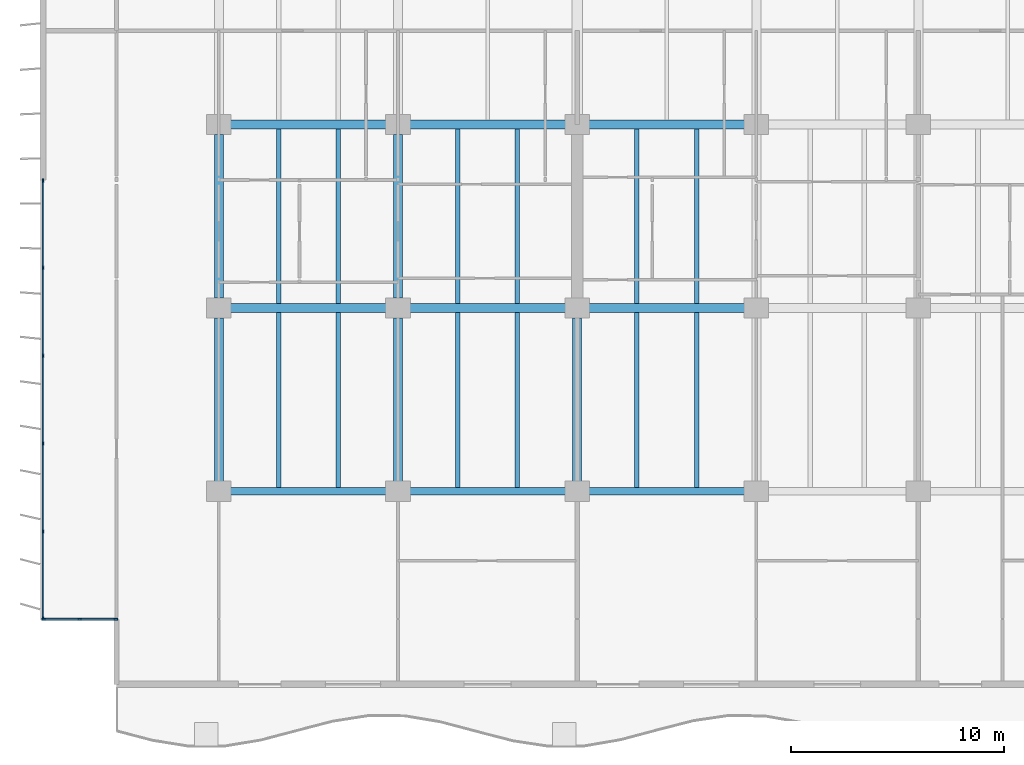
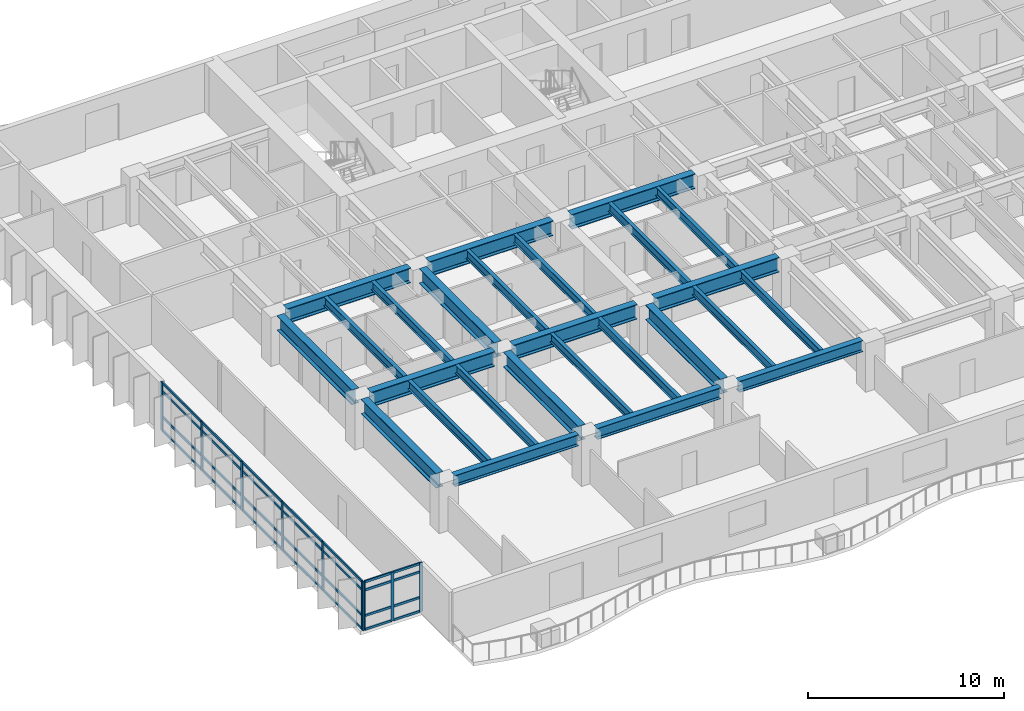
# One storey, part 2 of 17: 37 members, 26 beams, 2 elements without a shape of their own.
"""IFC4 building model written with IfcOpenShell, lengths in metres."""

from ifc_helpers import new_model, si_unit, direction, frame, origin, origin_2d, place, context, subcontext, project, spatial, rectangle, i_section, extrude, material, layer, layer_set, material_profile, profile_set, type_object, element, aggregate, save


model = new_model("IFC4")

# Units and contexts
model_context = context("Model", 3, precision=1e-05, world=origin(), true_north=direction((0.0, 1.0)))
body_context = subcontext(model_context, "Body", "Model", "MODEL_VIEW")
ifc_project = project(units=[si_unit("LENGTHUNIT", "METRE"), si_unit("AREAUNIT", "SQUARE_METRE"), si_unit("VOLUMEUNIT", "CUBIC_METRE"), si_unit("PLANEANGLEUNIT", "RADIAN"), si_unit("MASSUNIT", "GRAM", prefix="KILO")], contexts=[model_context])

# Site, building, storey
site_placement = place(None, origin())
site = spatial("IfcSite", under=ifc_project, at=site_placement, CompositionType="ELEMENT")
building_placement = place(site_placement, origin())
building = spatial("IfcBuilding", under=site, at=building_placement, Name="Caelmar Bay Residences", CompositionType="ELEMENT")
storey_placement = place(building_placement, frame((0.0, 0.0, 63.0)))
storey = spatial("IfcBuildingStorey", under=building, at=storey_placement, Name="L16", CompositionType="ELEMENT", Elevation=63.0)

# Beams
ifc_material_1 = material(Name="Steel ASTM A992 Grade 50", Category="steel")
ifc_material_profile_1 = material_profile(ifc_material_1, i_section(OverallWidth=0.422119140625, OverallDepth=0.925048828125, WebThickness=0.021240234375, FlangeThickness=0.03662109375, FilletRadius=0.020263671875, at=origin_2d()), Name="W36X262")
ifc_profile_set_1 = profile_set([ifc_material_profile_1], Name="Steel ASTM A992 Grade 50")
beam_type_1 = type_object("IfcBeamType", Name="BM-GRD-W36X262", PredefinedType="BEAM", material=ifc_profile_set_1)
beam_1_placement = place(storey_placement, frame((10.43994140625, 20.800048828125, 2.58740234375), z_axis=(1.0, 0.0, 0.0), x_axis=(0.0, 1.0, 0.0)))
element("IfcBeam", 1, at=beam_1_placement, inside=storey, type_object=beam_type_1, Name="L16 East-West Girder Y=20.80 (9.9-18.3)", PredefinedType="BEAM", context=body_context, shape_type="SweptSolid", body=[
    extrude(i_section(OverallWidth=0.422119140625, OverallDepth=0.925048828125, WebThickness=0.021240234375, FlangeThickness=0.03662109375, FilletRadius=0.020263671875, at=origin_2d()), origin(), (0.0, 0.0, 1.0), 7.320068359375),
])
beam_2_placement = place(storey_placement, frame((18.840087890625, 20.800048828125, 2.58740234375), z_axis=(1.0, 0.0, 0.0), x_axis=(0.0, 1.0, 0.0)))
element("IfcBeam", 2, at=beam_2_placement, inside=storey, type_object=beam_type_1, Name="L16 East-West Girder Y=20.80 (18.3-26.7)", PredefinedType="BEAM", context=body_context, shape_type="SweptSolid", body=[
    extrude(i_section(OverallWidth=0.422119140625, OverallDepth=0.925048828125, WebThickness=0.021240234375, FlangeThickness=0.03662109375, FilletRadius=0.020263671875, at=origin_2d()), origin(), (0.0, 0.0, 1.0), 7.31982421875),
])
for number, where, z_axis, x_axis, name in (
    (3, (27.239990234375, 20.800048828125, 2.58740234375), (1.0, 0.0, 0.0), (0.0, 1.0, 0.0), "L16 East-West Girder Y=20.80 (26.7-35.1)"),
    (4, (10.43994140625, 29.39990234375, 2.58740234375), (1.0, 0.0, 0.0), (0.0, 1.0, 0.0), "L16 East-West Girder Y=29.40 (9.9-18.3)"),
):
    element("IfcBeam", number, at=place(storey_placement, frame(where, z_axis=z_axis, x_axis=x_axis)), inside=storey, type_object=beam_type_1, Name=name, PredefinedType="BEAM", context=body_context, shape_type="SweptSolid", body=[
        extrude(i_section(OverallWidth=0.422119140625, OverallDepth=0.925048828125, WebThickness=0.021240234375, FlangeThickness=0.03662109375, FilletRadius=0.020263671875, at=origin_2d()), origin(), (0.0, 0.0, 1.0), 7.320068359375),
    ])
beam_3_placement = place(storey_placement, frame((18.840087890625, 29.39990234375, 2.58740234375), z_axis=(1.0, 0.0, 0.0), x_axis=(0.0, 1.0, 0.0)))
element("IfcBeam", 5, at=beam_3_placement, inside=storey, type_object=beam_type_1, Name="L16 East-West Girder Y=29.40 (18.3-26.7)", PredefinedType="BEAM", context=body_context, shape_type="SweptSolid", body=[
    extrude(i_section(OverallWidth=0.422119140625, OverallDepth=0.925048828125, WebThickness=0.021240234375, FlangeThickness=0.03662109375, FilletRadius=0.020263671875, at=origin_2d()), origin(), (0.0, 0.0, 1.0), 7.31982421875),
])
beam_4_placement = place(storey_placement, frame((27.239990234375, 29.39990234375, 2.58740234375), z_axis=(1.0, 0.0, 0.0), x_axis=(0.0, 1.0, 0.0)))
element("IfcBeam", 6, at=beam_4_placement, inside=storey, type_object=beam_type_1, Name="L16 East-West Girder Y=29.40 (26.7-35.1)", PredefinedType="BEAM", context=body_context, shape_type="SweptSolid", body=[
    extrude(i_section(OverallWidth=0.422119140625, OverallDepth=0.925048828125, WebThickness=0.021240234375, FlangeThickness=0.03662109375, FilletRadius=0.020263671875, at=origin_2d()), origin(), (0.0, 0.0, 1.0), 7.320068359375),
])
beam_5_placement = place(storey_placement, frame((9.89990234375, 12.6650390625, 2.58740234375), z_axis=(0.0, 1.0, 0.0), x_axis=(-1.0, 0.0, 0.0)))
element("IfcBeam", 7, at=beam_5_placement, inside=storey, type_object=beam_type_1, Name="L16 North-South Girder X=9.90 (12.2-20.8)", PredefinedType="BEAM", context=body_context, shape_type="SweptSolid", body=[
    extrude(i_section(OverallWidth=0.422119140625, OverallDepth=0.925048828125, WebThickness=0.021240234375, FlangeThickness=0.03662109375, FilletRadius=0.020263671875, at=origin_2d()), origin(), (0.0, 0.0, 1.0), 7.669921875),
])
beam_6_placement = place(storey_placement, frame((9.89990234375, 21.264892578125, 2.58740234375), z_axis=(0.0, 1.0, 0.0), x_axis=(-1.0, 0.0, 0.0)))
element("IfcBeam", 8, at=beam_6_placement, inside=storey, type_object=beam_type_1, Name="L16 North-South Girder X=9.90 (20.8-29.4)", PredefinedType="BEAM", context=body_context, shape_type="SweptSolid", body=[
    extrude(i_section(OverallWidth=0.422119140625, OverallDepth=0.925048828125, WebThickness=0.021240234375, FlangeThickness=0.03662109375, FilletRadius=0.020263671875, at=origin_2d()), origin(), (0.0, 0.0, 1.0), 7.670166015625),
])
beam_7_placement = place(storey_placement, frame((18.300048828125, 12.6650390625, 2.58740234375), z_axis=(0.0, 1.0, 0.0), x_axis=(-1.0, 0.0, 0.0)))
element("IfcBeam", 9, at=beam_7_placement, inside=storey, type_object=beam_type_1, Name="L16 North-South Girder X=18.30 (12.2-20.8)", PredefinedType="BEAM", context=body_context, shape_type="SweptSolid", body=[
    extrude(i_section(OverallWidth=0.422119140625, OverallDepth=0.925048828125, WebThickness=0.021240234375, FlangeThickness=0.03662109375, FilletRadius=0.020263671875, at=origin_2d()), origin(), (0.0, 0.0, 1.0), 7.669921875),
])
beam_8_placement = place(storey_placement, frame((18.300048828125, 21.264892578125, 2.58740234375), z_axis=(0.0, 1.0, 0.0), x_axis=(-1.0, 0.0, 0.0)))
element("IfcBeam", 10, at=beam_8_placement, inside=storey, type_object=beam_type_1, Name="L16 North-South Girder X=18.30 (20.8-29.4)", PredefinedType="BEAM", context=body_context, shape_type="SweptSolid", body=[
    extrude(i_section(OverallWidth=0.422119140625, OverallDepth=0.925048828125, WebThickness=0.021240234375, FlangeThickness=0.03662109375, FilletRadius=0.020263671875, at=origin_2d()), origin(), (0.0, 0.0, 1.0), 7.670166015625),
])
beam_9_placement = place(storey_placement, frame((26.699951171875, 12.6650390625, 2.58740234375), z_axis=(0.0, 1.0, 0.0), x_axis=(-1.0, 0.0, 0.0)))
element("IfcBeam", 11, at=beam_9_placement, inside=storey, type_object=beam_type_1, Name="L16 North-South Girder X=26.70 (12.2-20.8)", PredefinedType="BEAM", context=body_context, shape_type="SweptSolid", body=[
    extrude(i_section(OverallWidth=0.422119140625, OverallDepth=0.925048828125, WebThickness=0.021240234375, FlangeThickness=0.03662109375, FilletRadius=0.020263671875, at=origin_2d()), origin(), (0.0, 0.0, 1.0), 7.669921875),
])
ifc_material_profile_2 = material_profile(ifc_material_1, i_section(OverallWidth=0.2099609375, OverallDepth=0.535888671875, WebThickness=0.010986328125, FlangeThickness=0.017333984375, FilletRadius=0.0126953125, at=origin_2d()), Name="W21X68")
ifc_profile_set_2 = profile_set([ifc_material_profile_2], Name="Steel ASTM A992 Grade 50")
beam_type_2 = type_object("IfcBeamType", Name="BM-JST-W21X68", PredefinedType="JOIST", material=ifc_profile_set_2)
for number, where, z_axis, x_axis, name in (
    (12, (15.5, 12.3779296875, 2.781982421875), (0.0, 1.0, 0.0), (-1.0, 0.0, 0.0), "L16 Composite Floor Joist 2"),
    (13, (23.89990234375, 12.3779296875, 2.781982421875), (0.0, 1.0, 0.0), (-1.0, 0.0, 0.0), "L16 Composite Floor Joist 4"),
    (14, (32.300048828125, 12.3779296875, 2.781982421875), (0.0, 1.0, 0.0), (-1.0, 0.0, 0.0), "L16 Composite Floor Joist 6"),
):
    element("IfcBeam", number, at=place(storey_placement, frame(where, z_axis=z_axis, x_axis=x_axis)), inside=storey, type_object=beam_type_2, Name=name, PredefinedType="JOIST", context=body_context, shape_type="SweptSolid", body=[
        extrude(i_section(OverallWidth=0.2099609375, OverallDepth=0.535888671875, WebThickness=0.010986328125, FlangeThickness=0.017333984375, FilletRadius=0.0126953125, at=origin_2d()), origin(), (0.0, 0.0, 1.0), 8.211181640625),
    ])
for number, where, z_axis, x_axis, name in (
    (15, (15.5, 21.010986328125, 2.781982421875), (0.0, 1.0, 0.0), (-1.0, 0.0, 0.0), "L16 Composite Floor Joist 16"),
    (16, (23.89990234375, 21.010986328125, 2.781982421875), (0.0, 1.0, 0.0), (-1.0, 0.0, 0.0), "L16 Composite Floor Joist 18"),
    (17, (32.300048828125, 21.010986328125, 2.781982421875), (0.0, 1.0, 0.0), (-1.0, 0.0, 0.0), "L16 Composite Floor Joist 20"),
):
    element("IfcBeam", number, at=place(storey_placement, frame(where, z_axis=z_axis, x_axis=x_axis)), inside=storey, type_object=beam_type_2, Name=name, PredefinedType="JOIST", context=body_context, shape_type="SweptSolid", body=[
        extrude(i_section(OverallWidth=0.2099609375, OverallDepth=0.535888671875, WebThickness=0.010986328125, FlangeThickness=0.017333984375, FilletRadius=0.0126953125, at=origin_2d()), origin(), (0.0, 0.0, 1.0), 8.177978515625),
    ])
ifc_material_profile_3 = material_profile(ifc_material_1, i_section(OverallWidth=0.214111328125, OverallDepth=0.549072265625, WebThickness=0.0146484375, FlangeThickness=0.023681640625, FilletRadius=0.0126953125, at=origin_2d()), Name="W21X93")
ifc_profile_set_3 = profile_set([ifc_material_profile_3], Name="Steel ASTM A992 Grade 50")
beam_type_3 = type_object("IfcBeamType", Name="BM-JST-W21X93", PredefinedType="JOIST", material=ifc_profile_set_3)
for number, where, z_axis, x_axis, name in (
    (18, (12.699951171875, 12.3779296875, 2.775390625), (0.0, 1.0, 0.0), (-1.0, 0.0, 0.0), "L16 Composite Floor Joist 1"),
    (19, (21.10009765625, 12.3779296875, 2.775390625), (0.0, 1.0, 0.0), (-1.0, 0.0, 0.0), "L16 Composite Floor Joist 3"),
    (20, (29.5, 12.3779296875, 2.775390625), (0.0, 1.0, 0.0), (-1.0, 0.0, 0.0), "L16 Composite Floor Joist 5"),
):
    element("IfcBeam", number, at=place(storey_placement, frame(where, z_axis=z_axis, x_axis=x_axis)), inside=storey, type_object=beam_type_3, Name=name, PredefinedType="JOIST", context=body_context, shape_type="SweptSolid", body=[
        extrude(i_section(OverallWidth=0.214111328125, OverallDepth=0.549072265625, WebThickness=0.0146484375, FlangeThickness=0.023681640625, FilletRadius=0.0126953125, at=origin_2d()), origin(), (0.0, 0.0, 1.0), 8.211181640625),
    ])
for number, where, z_axis, x_axis, name in (
    (21, (12.699951171875, 21.010986328125, 2.775390625), (0.0, 1.0, 0.0), (-1.0, 0.0, 0.0), "L16 Composite Floor Joist 15"),
    (22, (21.10009765625, 21.010986328125, 2.775390625), (0.0, 1.0, 0.0), (-1.0, 0.0, 0.0), "L16 Composite Floor Joist 17"),
    (23, (29.5, 21.010986328125, 2.775390625), (0.0, 1.0, 0.0), (-1.0, 0.0, 0.0), "L16 Composite Floor Joist 19"),
):
    element("IfcBeam", number, at=place(storey_placement, frame(where, z_axis=z_axis, x_axis=x_axis)), inside=storey, type_object=beam_type_3, Name=name, PredefinedType="JOIST", context=body_context, shape_type="SweptSolid", body=[
        extrude(i_section(OverallWidth=0.214111328125, OverallDepth=0.549072265625, WebThickness=0.0146484375, FlangeThickness=0.023681640625, FilletRadius=0.0126953125, at=origin_2d()), origin(), (0.0, 0.0, 1.0), 8.177978515625),
    ])
ifc_material_profile_4 = material_profile(ifc_material_1, i_section(OverallWidth=0.35595703125, OverallDepth=0.696044921875, WebThickness=0.015380859375, FlangeThickness=0.02490234375, FilletRadius=0.01513671875, at=origin_2d()), Name="W27X146")
ifc_profile_set_4 = profile_set([ifc_material_profile_4], Name="Steel ASTM A992 Grade 50")
beam_type_4 = type_object("IfcBeamType", Name="BM-SPN-W27X146", PredefinedType="SPANDREL", material=ifc_profile_set_4)
beam_10_placement = place(storey_placement, frame((10.43994140625, 12.199951171875, 2.701904296875), z_axis=(1.0, 0.0, 0.0), x_axis=(0.0, 1.0, 0.0)))
element("IfcBeam", 24, at=beam_10_placement, inside=storey, type_object=beam_type_4, Name="L16 East-West Girder Y=12.20 (9.9-18.3)", PredefinedType="SPANDREL", context=body_context, shape_type="SweptSolid", body=[
    extrude(i_section(OverallWidth=0.35595703125, OverallDepth=0.696044921875, WebThickness=0.015380859375, FlangeThickness=0.02490234375, FilletRadius=0.01513671875, at=origin_2d()), origin(), (0.0, 0.0, 1.0), 7.320068359375),
])
beam_11_placement = place(storey_placement, frame((18.840087890625, 12.199951171875, 2.701904296875), z_axis=(1.0, 0.0, 0.0), x_axis=(0.0, 1.0, 0.0)))
element("IfcBeam", 25, at=beam_11_placement, inside=storey, type_object=beam_type_4, Name="L16 East-West Girder Y=12.20 (18.3-26.7)", PredefinedType="SPANDREL", context=body_context, shape_type="SweptSolid", body=[
    extrude(i_section(OverallWidth=0.35595703125, OverallDepth=0.696044921875, WebThickness=0.015380859375, FlangeThickness=0.02490234375, FilletRadius=0.01513671875, at=origin_2d()), origin(), (0.0, 0.0, 1.0), 7.31982421875),
])
beam_12_placement = place(storey_placement, frame((27.239990234375, 12.199951171875, 2.701904296875), z_axis=(1.0, 0.0, 0.0), x_axis=(0.0, 1.0, 0.0)))
element("IfcBeam", 26, at=beam_12_placement, inside=storey, type_object=beam_type_4, Name="L16 East-West Girder Y=12.20 (26.7-35.1)", PredefinedType="SPANDREL", context=body_context, shape_type="SweptSolid", body=[
    extrude(i_section(OverallWidth=0.35595703125, OverallDepth=0.696044921875, WebThickness=0.015380859375, FlangeThickness=0.02490234375, FilletRadius=0.01513671875, at=origin_2d()), origin(), (0.0, 0.0, 1.0), 7.320068359375),
])

# Curtain wall, members
ifc_material_2 = material(Name="Anodised bronze aluminium 6063-T6 and laminated glass", Category="aluminium")
ifc_layer_1 = layer(ifc_material_2, 0.179931640625)
ifc_layer_set_1 = layer_set([ifc_layer_1], Name="Anodised bronze aluminium 6063-T6 and laminated glass")
curtain_wall_type_1 = type_object("IfcCurtainWallType", Name="CW6-NTC", PredefinedType="NOTDEFINED", material=ifc_layer_set_1)
curtain_wall_1_placement = place(storey_placement, origin())
curtain_wall_1 = element("IfcCurtainWall", 27, at=curtain_wall_1_placement, inside=storey, type_object=curtain_wall_type_1, Name="CW6 curtain wall L16", PredefinedType="NOTDEFINED")
ifc_material_3 = material(Name="Anodised bronze aluminium 6063-T6", Category="aluminium")
ifc_material_profile_5 = material_profile(ifc_material_3, rectangle(XDim=0.080078125, YDim=0.179931640625, at=origin_2d()), Name="CWM-80X180")
ifc_profile_set_5 = profile_set([ifc_material_profile_5], Name="Anodised bronze aluminium 6063-T6")
member_type_1 = type_object("IfcMemberType", Name="CWM-180", PredefinedType="MULLION", material=ifc_profile_set_5)
member_1_placement = place(storey_placement, frame((1.68994140625, 6.199951171875, 0.0), z_axis=(0.0, 0.0, 1.0), x_axis=(0.0, 1.0, 0.0)))
member_1 = element("IfcMember", 28, at=member_1_placement, type_object=member_type_1, Name="CW6 mullion 1", PredefinedType="MULLION", context=body_context, shape_type="SweptSolid", body=[
    extrude(rectangle(XDim=0.080078125, YDim=0.179931640625, at=origin_2d()), origin(), (0.0, 0.0, 1.0), 3.050048828125),
])
member_2_placement = place(storey_placement, frame((3.375, 6.199951171875, 0.0), z_axis=(0.0, 0.0, 1.0), x_axis=(0.0, 1.0, 0.0)))
member_2 = element("IfcMember", 29, at=member_2_placement, type_object=member_type_1, Name="CW6 mullion 2", PredefinedType="MULLION", context=body_context, shape_type="SweptSolid", body=[
    extrude(rectangle(XDim=0.080078125, YDim=0.179931640625, at=origin_2d()), origin(), (0.0, 0.0, 1.0), 3.050048828125),
])
member_3_placement = place(storey_placement, frame((5.06005859375, 6.199951171875, 0.0), z_axis=(0.0, 0.0, 1.0), x_axis=(0.0, 1.0, 0.0)))
member_3 = element("IfcMember", 30, at=member_3_placement, type_object=member_type_1, Name="CW6 mullion 3", PredefinedType="MULLION", context=body_context, shape_type="SweptSolid", body=[
    extrude(rectangle(XDim=0.080078125, YDim=0.179931640625, at=origin_2d()), origin(), (0.0, 0.0, 1.0), 3.050048828125),
])

ifc_layer_2 = layer(ifc_material_2, 0.179931640625)
ifc_layer_set_2 = layer_set([ifc_layer_2], Name="Anodised bronze aluminium 6063-T6 and laminated glass")
curtain_wall_type_2 = type_object("IfcCurtainWallType", Name="CW2-Z1", PredefinedType="NOTDEFINED", material=ifc_layer_set_2)
curtain_wall_2_placement = place(storey_placement, origin())
curtain_wall_2 = element("IfcCurtainWall", 31, at=curtain_wall_2_placement, inside=storey, type_object=curtain_wall_type_2, Name="CW2 curtain wall L16", PredefinedType="NOTDEFINED")
member_4_placement = place(storey_placement, frame((1.64990234375, 6.239990234375, 0.0), z_axis=(0.0, 0.0, 1.0), x_axis=(-1.0, 0.0, 0.0)))
member_4 = element("IfcMember", 32, at=member_4_placement, type_object=member_type_1, Name="CW2 mullion 1", PredefinedType="MULLION", context=body_context, shape_type="SweptSolid", body=[
    extrude(rectangle(XDim=0.080078125, YDim=0.179931640625, at=origin_2d()), origin(), (0.0, 0.0, 1.0), 3.050048828125),
])
member_5_placement = place(storey_placement, frame((1.64990234375, 10.320068359375, 0.0), z_axis=(0.0, 0.0, 1.0), x_axis=(-1.0, 0.0, 0.0)))
member_5 = element("IfcMember", 33, at=member_5_placement, type_object=member_type_1, Name="CW2 mullion 2", PredefinedType="MULLION", context=body_context, shape_type="SweptSolid", body=[
    extrude(rectangle(XDim=0.080078125, YDim=0.179931640625, at=origin_2d()), origin(), (0.0, 0.0, 1.0), 3.050048828125),
])
member_6_placement = place(storey_placement, frame((1.64990234375, 14.43994140625, 0.0), z_axis=(0.0, 0.0, 1.0), x_axis=(-1.0, 0.0, 0.0)))
member_6 = element("IfcMember", 34, at=member_6_placement, type_object=member_type_1, Name="CW2 mullion 3", PredefinedType="MULLION", context=body_context, shape_type="SweptSolid", body=[
    extrude(rectangle(XDim=0.080078125, YDim=0.179931640625, at=origin_2d()), origin(), (0.0, 0.0, 1.0), 3.050048828125),
])
member_7_placement = place(storey_placement, frame((1.64990234375, 18.56005859375, 0.0), z_axis=(0.0, 0.0, 1.0), x_axis=(-1.0, 0.0, 0.0)))
member_7 = element("IfcMember", 35, at=member_7_placement, type_object=member_type_1, Name="CW2 mullion 4", PredefinedType="MULLION", context=body_context, shape_type="SweptSolid", body=[
    extrude(rectangle(XDim=0.080078125, YDim=0.179931640625, at=origin_2d()), origin(), (0.0, 0.0, 1.0), 3.050048828125),
])
member_8_placement = place(storey_placement, frame((1.64990234375, 22.679931640625, 0.0), z_axis=(0.0, 0.0, 1.0), x_axis=(-1.0, 0.0, 0.0)))
member_8 = element("IfcMember", 36, at=member_8_placement, type_object=member_type_1, Name="CW2 mullion 5", PredefinedType="MULLION", context=body_context, shape_type="SweptSolid", body=[
    extrude(rectangle(XDim=0.080078125, YDim=0.179931640625, at=origin_2d()), origin(), (0.0, 0.0, 1.0), 3.050048828125),
])
member_9_placement = place(storey_placement, frame((1.64990234375, 26.760009765625, 0.0), z_axis=(0.0, 0.0, 1.0), x_axis=(-1.0, 0.0, 0.0)))
member_9 = element("IfcMember", 37, at=member_9_placement, type_object=member_type_1, Name="CW2 mullion 6", PredefinedType="MULLION", context=body_context, shape_type="SweptSolid", body=[
    extrude(rectangle(XDim=0.080078125, YDim=0.179931640625, at=origin_2d()), origin(), (0.0, 0.0, 1.0), 3.050048828125),
])

# Member
ifc_material_profile_6 = material_profile(ifc_material_3, rectangle(XDim=0.080078125, YDim=0.139892578125, at=origin_2d()), Name="CWT-80X140")
ifc_profile_set_6 = profile_set([ifc_material_profile_6], Name="Anodised bronze aluminium 6063-T6")
member_type_2 = type_object("IfcMemberType", Name="CWT-140", PredefinedType="NOTDEFINED", material=ifc_profile_set_6)
member_10_placement = place(storey_placement, frame((1.72998046875, 6.199951171875, 0.0400390625), z_axis=(1.0, 0.0, 0.0), x_axis=(0.0, 1.0, 0.0)))
member_10 = element("IfcMember", 38, at=member_10_placement, type_object=member_type_2, Name="CW6 transom 1.1", ObjectType="TRANSOM", PredefinedType="USERDEFINED", context=body_context, shape_type="SweptSolid", body=[
    extrude(rectangle(XDim=0.080078125, YDim=0.139892578125, at=origin_2d()), origin(), (0.0, 0.0, 1.0), 1.60498046875),
])

member_11_placement = place(storey_placement, frame((1.72998046875, 6.199951171875, 0.89990234375), z_axis=(1.0, 0.0, 0.0), x_axis=(0.0, 1.0, 0.0)))
member_11 = element("IfcMember", 39, at=member_11_placement, type_object=member_type_2, Name="CW6 transom 1.2", ObjectType="TRANSOM", PredefinedType="USERDEFINED", context=body_context, shape_type="SweptSolid", body=[
    extrude(rectangle(XDim=0.080078125, YDim=0.139892578125, at=origin_2d()), origin(), (0.0, 0.0, 1.0), 1.60498046875),
])

member_12_placement = place(storey_placement, frame((1.72998046875, 6.199951171875, 2.5), z_axis=(1.0, 0.0, 0.0), x_axis=(0.0, 1.0, 0.0)))
member_12 = element("IfcMember", 40, at=member_12_placement, type_object=member_type_2, Name="CW6 transom 1.3", ObjectType="TRANSOM", PredefinedType="USERDEFINED", context=body_context, shape_type="SweptSolid", body=[
    extrude(rectangle(XDim=0.080078125, YDim=0.139892578125, at=origin_2d()), origin(), (0.0, 0.0, 1.0), 1.60498046875),
])

member_13_placement = place(storey_placement, frame((1.72998046875, 6.199951171875, 3.010009765625), z_axis=(1.0, 0.0, 0.0), x_axis=(0.0, 1.0, 0.0)))
member_13 = element("IfcMember", 41, at=member_13_placement, type_object=member_type_2, Name="CW6 transom 1.4", ObjectType="TRANSOM", PredefinedType="USERDEFINED", context=body_context, shape_type="SweptSolid", body=[
    extrude(rectangle(XDim=0.080078125, YDim=0.139892578125, at=origin_2d()), origin(), (0.0, 0.0, 1.0), 1.60498046875),
])

member_14_placement = place(storey_placement, frame((3.4150390625, 6.199951171875, 0.0400390625), z_axis=(1.0, 0.0, 0.0), x_axis=(0.0, 1.0, 0.0)))
member_14 = element("IfcMember", 42, at=member_14_placement, type_object=member_type_2, Name="CW6 transom 2.1", ObjectType="TRANSOM", PredefinedType="USERDEFINED", context=body_context, shape_type="SweptSolid", body=[
    extrude(rectangle(XDim=0.080078125, YDim=0.139892578125, at=origin_2d()), origin(), (0.0, 0.0, 1.0), 1.60498046875),
])

member_15_placement = place(storey_placement, frame((3.4150390625, 6.199951171875, 0.89990234375), z_axis=(1.0, 0.0, 0.0), x_axis=(0.0, 1.0, 0.0)))
member_15 = element("IfcMember", 43, at=member_15_placement, type_object=member_type_2, Name="CW6 transom 2.2", ObjectType="TRANSOM", PredefinedType="USERDEFINED", context=body_context, shape_type="SweptSolid", body=[
    extrude(rectangle(XDim=0.080078125, YDim=0.139892578125, at=origin_2d()), origin(), (0.0, 0.0, 1.0), 1.60498046875),
])

member_16_placement = place(storey_placement, frame((3.4150390625, 6.199951171875, 2.5), z_axis=(1.0, 0.0, 0.0), x_axis=(0.0, 1.0, 0.0)))
member_16 = element("IfcMember", 44, at=member_16_placement, type_object=member_type_2, Name="CW6 transom 2.3", ObjectType="TRANSOM", PredefinedType="USERDEFINED", context=body_context, shape_type="SweptSolid", body=[
    extrude(rectangle(XDim=0.080078125, YDim=0.139892578125, at=origin_2d()), origin(), (0.0, 0.0, 1.0), 1.60498046875),
])

member_17_placement = place(storey_placement, frame((3.4150390625, 6.199951171875, 3.010009765625), z_axis=(1.0, 0.0, 0.0), x_axis=(0.0, 1.0, 0.0)))
member_17 = element("IfcMember", 45, at=member_17_placement, type_object=member_type_2, Name="CW6 transom 2.4", ObjectType="TRANSOM", PredefinedType="USERDEFINED", context=body_context, shape_type="SweptSolid", body=[
    extrude(rectangle(XDim=0.080078125, YDim=0.139892578125, at=origin_2d()), origin(), (0.0, 0.0, 1.0), 1.60498046875),
])

aggregate(curtain_wall_1, [member_1, member_2, member_3, member_10, member_11, member_12, member_13, member_14, member_15, member_16, member_17])

member_18_placement = place(storey_placement, frame((1.64990234375, 6.280029296875, 0.0400390625), z_axis=(0.0, 1.0, 0.0), x_axis=(-1.0, 0.0, 0.0)))
member_18 = element("IfcMember", 46, at=member_18_placement, type_object=member_type_2, Name="CW2 transom 1.1", ObjectType="TRANSOM", PredefinedType="USERDEFINED", context=body_context, shape_type="SweptSolid", body=[
    extrude(rectangle(XDim=0.080078125, YDim=0.139892578125, at=origin_2d()), origin(), (0.0, 0.0, 1.0), 4.0),
])

member_19_placement = place(storey_placement, frame((1.64990234375, 6.280029296875, 0.89990234375), z_axis=(0.0, 1.0, 0.0), x_axis=(-1.0, 0.0, 0.0)))
member_19 = element("IfcMember", 47, at=member_19_placement, type_object=member_type_2, Name="CW2 transom 1.2", ObjectType="TRANSOM", PredefinedType="USERDEFINED", context=body_context, shape_type="SweptSolid", body=[
    extrude(rectangle(XDim=0.080078125, YDim=0.139892578125, at=origin_2d()), origin(), (0.0, 0.0, 1.0), 4.0),
])

member_20_placement = place(storey_placement, frame((1.64990234375, 6.280029296875, 2.5), z_axis=(0.0, 1.0, 0.0), x_axis=(-1.0, 0.0, 0.0)))
member_20 = element("IfcMember", 48, at=member_20_placement, type_object=member_type_2, Name="CW2 transom 1.3", ObjectType="TRANSOM", PredefinedType="USERDEFINED", context=body_context, shape_type="SweptSolid", body=[
    extrude(rectangle(XDim=0.080078125, YDim=0.139892578125, at=origin_2d()), origin(), (0.0, 0.0, 1.0), 4.0),
])

member_21_placement = place(storey_placement, frame((1.64990234375, 6.280029296875, 3.010009765625), z_axis=(0.0, 1.0, 0.0), x_axis=(-1.0, 0.0, 0.0)))
member_21 = element("IfcMember", 49, at=member_21_placement, type_object=member_type_2, Name="CW2 transom 1.4", ObjectType="TRANSOM", PredefinedType="USERDEFINED", context=body_context, shape_type="SweptSolid", body=[
    extrude(rectangle(XDim=0.080078125, YDim=0.139892578125, at=origin_2d()), origin(), (0.0, 0.0, 1.0), 4.0),
])

member_22_placement = place(storey_placement, frame((1.64990234375, 10.360107421875, 0.0400390625), z_axis=(0.0, 1.0, 0.0), x_axis=(-1.0, 0.0, 0.0)))
member_22 = element("IfcMember", 50, at=member_22_placement, type_object=member_type_2, Name="CW2 transom 2.1", ObjectType="TRANSOM", PredefinedType="USERDEFINED", context=body_context, shape_type="SweptSolid", body=[
    extrude(rectangle(XDim=0.080078125, YDim=0.139892578125, at=origin_2d()), origin(), (0.0, 0.0, 1.0), 4.039794921875),
])

member_23_placement = place(storey_placement, frame((1.64990234375, 10.360107421875, 0.89990234375), z_axis=(0.0, 1.0, 0.0), x_axis=(-1.0, 0.0, 0.0)))
member_23 = element("IfcMember", 51, at=member_23_placement, type_object=member_type_2, Name="CW2 transom 2.2", ObjectType="TRANSOM", PredefinedType="USERDEFINED", context=body_context, shape_type="SweptSolid", body=[
    extrude(rectangle(XDim=0.080078125, YDim=0.139892578125, at=origin_2d()), origin(), (0.0, 0.0, 1.0), 4.039794921875),
])

member_24_placement = place(storey_placement, frame((1.64990234375, 10.360107421875, 2.5), z_axis=(0.0, 1.0, 0.0), x_axis=(-1.0, 0.0, 0.0)))
member_24 = element("IfcMember", 52, at=member_24_placement, type_object=member_type_2, Name="CW2 transom 2.3", ObjectType="TRANSOM", PredefinedType="USERDEFINED", context=body_context, shape_type="SweptSolid", body=[
    extrude(rectangle(XDim=0.080078125, YDim=0.139892578125, at=origin_2d()), origin(), (0.0, 0.0, 1.0), 4.039794921875),
])

member_25_placement = place(storey_placement, frame((1.64990234375, 10.360107421875, 3.010009765625), z_axis=(0.0, 1.0, 0.0), x_axis=(-1.0, 0.0, 0.0)))
member_25 = element("IfcMember", 53, at=member_25_placement, type_object=member_type_2, Name="CW2 transom 2.4", ObjectType="TRANSOM", PredefinedType="USERDEFINED", context=body_context, shape_type="SweptSolid", body=[
    extrude(rectangle(XDim=0.080078125, YDim=0.139892578125, at=origin_2d()), origin(), (0.0, 0.0, 1.0), 4.039794921875),
])

member_26_placement = place(storey_placement, frame((1.64990234375, 14.47998046875, 0.0400390625), z_axis=(0.0, 1.0, 0.0), x_axis=(-1.0, 0.0, 0.0)))
member_26 = element("IfcMember", 54, at=member_26_placement, type_object=member_type_2, Name="CW2 transom 3.1", ObjectType="TRANSOM", PredefinedType="USERDEFINED", context=body_context, shape_type="SweptSolid", body=[
    extrude(rectangle(XDim=0.080078125, YDim=0.139892578125, at=origin_2d()), origin(), (0.0, 0.0, 1.0), 4.0400390625),
])

member_27_placement = place(storey_placement, frame((1.64990234375, 14.47998046875, 0.89990234375), z_axis=(0.0, 1.0, 0.0), x_axis=(-1.0, 0.0, 0.0)))
member_27 = element("IfcMember", 55, at=member_27_placement, type_object=member_type_2, Name="CW2 transom 3.2", ObjectType="TRANSOM", PredefinedType="USERDEFINED", context=body_context, shape_type="SweptSolid", body=[
    extrude(rectangle(XDim=0.080078125, YDim=0.139892578125, at=origin_2d()), origin(), (0.0, 0.0, 1.0), 4.0400390625),
])

member_28_placement = place(storey_placement, frame((1.64990234375, 14.47998046875, 2.5), z_axis=(0.0, 1.0, 0.0), x_axis=(-1.0, 0.0, 0.0)))
member_28 = element("IfcMember", 56, at=member_28_placement, type_object=member_type_2, Name="CW2 transom 3.3", ObjectType="TRANSOM", PredefinedType="USERDEFINED", context=body_context, shape_type="SweptSolid", body=[
    extrude(rectangle(XDim=0.080078125, YDim=0.139892578125, at=origin_2d()), origin(), (0.0, 0.0, 1.0), 4.0400390625),
])

member_29_placement = place(storey_placement, frame((1.64990234375, 14.47998046875, 3.010009765625), z_axis=(0.0, 1.0, 0.0), x_axis=(-1.0, 0.0, 0.0)))
member_29 = element("IfcMember", 57, at=member_29_placement, type_object=member_type_2, Name="CW2 transom 3.4", ObjectType="TRANSOM", PredefinedType="USERDEFINED", context=body_context, shape_type="SweptSolid", body=[
    extrude(rectangle(XDim=0.080078125, YDim=0.139892578125, at=origin_2d()), origin(), (0.0, 0.0, 1.0), 4.0400390625),
])

member_30_placement = place(storey_placement, frame((1.64990234375, 18.60009765625, 0.0400390625), z_axis=(0.0, 1.0, 0.0), x_axis=(-1.0, 0.0, 0.0)))
member_30 = element("IfcMember", 58, at=member_30_placement, type_object=member_type_2, Name="CW2 transom 4.1", ObjectType="TRANSOM", PredefinedType="USERDEFINED", context=body_context, shape_type="SweptSolid", body=[
    extrude(rectangle(XDim=0.080078125, YDim=0.139892578125, at=origin_2d()), origin(), (0.0, 0.0, 1.0), 4.039794921875),
])

member_31_placement = place(storey_placement, frame((1.64990234375, 18.60009765625, 0.89990234375), z_axis=(0.0, 1.0, 0.0), x_axis=(-1.0, 0.0, 0.0)))
member_31 = element("IfcMember", 59, at=member_31_placement, type_object=member_type_2, Name="CW2 transom 4.2", ObjectType="TRANSOM", PredefinedType="USERDEFINED", context=body_context, shape_type="SweptSolid", body=[
    extrude(rectangle(XDim=0.080078125, YDim=0.139892578125, at=origin_2d()), origin(), (0.0, 0.0, 1.0), 4.039794921875),
])

member_32_placement = place(storey_placement, frame((1.64990234375, 18.60009765625, 2.5), z_axis=(0.0, 1.0, 0.0), x_axis=(-1.0, 0.0, 0.0)))
member_32 = element("IfcMember", 60, at=member_32_placement, type_object=member_type_2, Name="CW2 transom 4.3", ObjectType="TRANSOM", PredefinedType="USERDEFINED", context=body_context, shape_type="SweptSolid", body=[
    extrude(rectangle(XDim=0.080078125, YDim=0.139892578125, at=origin_2d()), origin(), (0.0, 0.0, 1.0), 4.039794921875),
])

member_33_placement = place(storey_placement, frame((1.64990234375, 18.60009765625, 3.010009765625), z_axis=(0.0, 1.0, 0.0), x_axis=(-1.0, 0.0, 0.0)))
member_33 = element("IfcMember", 61, at=member_33_placement, type_object=member_type_2, Name="CW2 transom 4.4", ObjectType="TRANSOM", PredefinedType="USERDEFINED", context=body_context, shape_type="SweptSolid", body=[
    extrude(rectangle(XDim=0.080078125, YDim=0.139892578125, at=origin_2d()), origin(), (0.0, 0.0, 1.0), 4.039794921875),
])

member_34_placement = place(storey_placement, frame((1.64990234375, 22.719970703125, 0.0400390625), z_axis=(0.0, 1.0, 0.0), x_axis=(-1.0, 0.0, 0.0)))
member_34 = element("IfcMember", 62, at=member_34_placement, type_object=member_type_2, Name="CW2 transom 5.1", ObjectType="TRANSOM", PredefinedType="USERDEFINED", context=body_context, shape_type="SweptSolid", body=[
    extrude(rectangle(XDim=0.080078125, YDim=0.139892578125, at=origin_2d()), origin(), (0.0, 0.0, 1.0), 4.0),
])

member_35_placement = place(storey_placement, frame((1.64990234375, 22.719970703125, 0.89990234375), z_axis=(0.0, 1.0, 0.0), x_axis=(-1.0, 0.0, 0.0)))
member_35 = element("IfcMember", 63, at=member_35_placement, type_object=member_type_2, Name="CW2 transom 5.2", ObjectType="TRANSOM", PredefinedType="USERDEFINED", context=body_context, shape_type="SweptSolid", body=[
    extrude(rectangle(XDim=0.080078125, YDim=0.139892578125, at=origin_2d()), origin(), (0.0, 0.0, 1.0), 4.0),
])

member_36_placement = place(storey_placement, frame((1.64990234375, 22.719970703125, 2.5), z_axis=(0.0, 1.0, 0.0), x_axis=(-1.0, 0.0, 0.0)))
member_36 = element("IfcMember", 64, at=member_36_placement, type_object=member_type_2, Name="CW2 transom 5.3", ObjectType="TRANSOM", PredefinedType="USERDEFINED", context=body_context, shape_type="SweptSolid", body=[
    extrude(rectangle(XDim=0.080078125, YDim=0.139892578125, at=origin_2d()), origin(), (0.0, 0.0, 1.0), 4.0),
])

member_37_placement = place(storey_placement, frame((1.64990234375, 22.719970703125, 3.010009765625), z_axis=(0.0, 1.0, 0.0), x_axis=(-1.0, 0.0, 0.0)))
member_37 = element("IfcMember", 65, at=member_37_placement, type_object=member_type_2, Name="CW2 transom 5.4", ObjectType="TRANSOM", PredefinedType="USERDEFINED", context=body_context, shape_type="SweptSolid", body=[
    extrude(rectangle(XDim=0.080078125, YDim=0.139892578125, at=origin_2d()), origin(), (0.0, 0.0, 1.0), 4.0),
])

aggregate(curtain_wall_2, [member_4, member_5, member_6, member_7, member_8, member_9, member_18, member_19, member_20, member_21, member_22, member_23, member_24, member_25, member_26, member_27, member_28, member_29, member_30, member_31, member_32, member_33, member_34, member_35, member_36, member_37])

save(model, "model.ifc")
